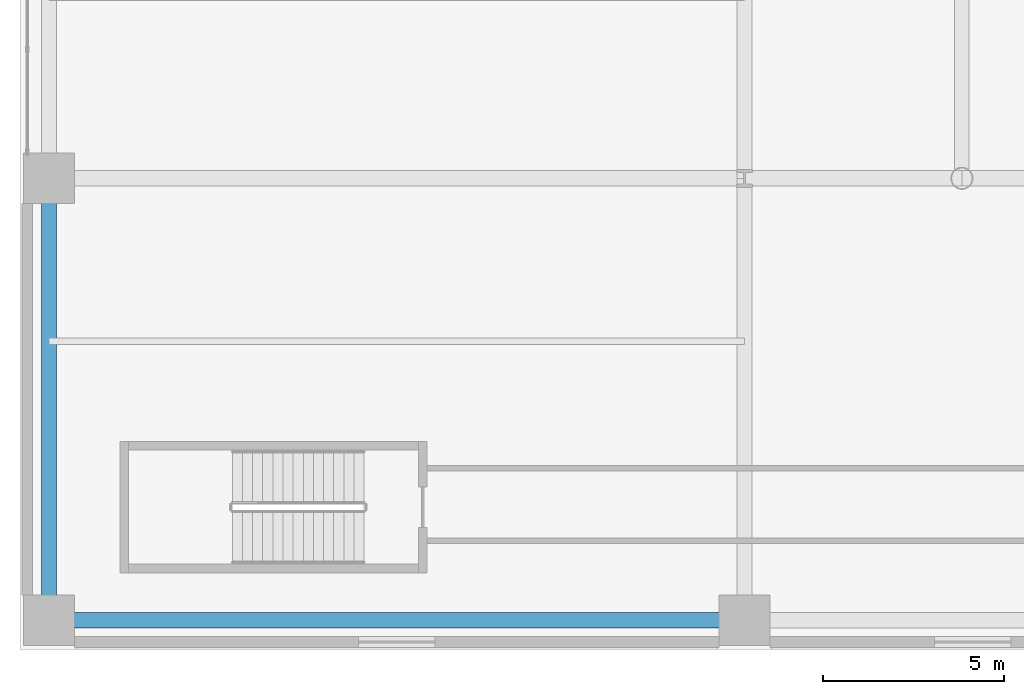
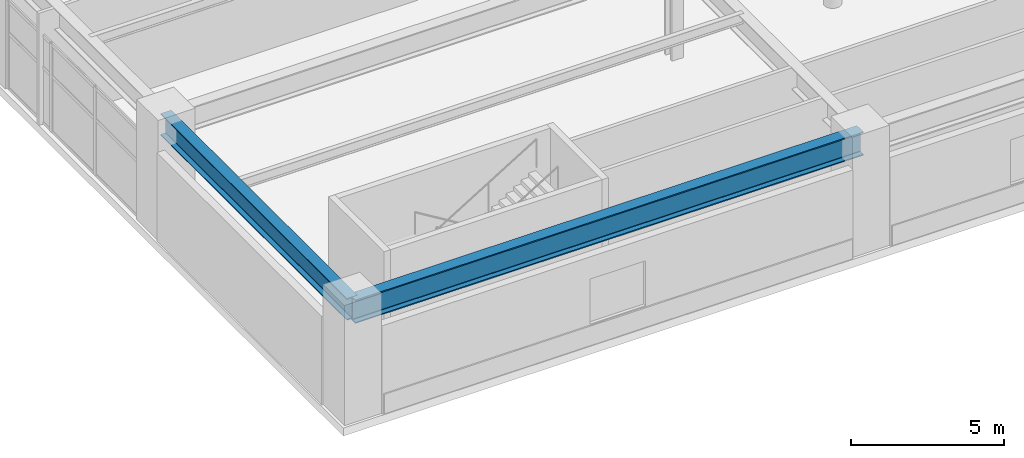
# One storey, part 4 of 28: 2 beams.
"""IFC4 building model written with IfcOpenShell, lengths in metres."""

from ifc_helpers import new_model, si_unit, direction, frame, origin, origin_2d, place, context, subcontext, project, spatial, i_section, extrude, material, material_profile, profile_set, type_object, element, save


model = new_model("IFC4")

# Units and contexts
model_context = context("Model", 3, precision=1e-05, world=origin(), true_north=direction((0.0, 1.0)))
body_context = subcontext(model_context, "Body", "Model", "MODEL_VIEW")
ifc_project = project(units=[si_unit("LENGTHUNIT", "METRE"), si_unit("AREAUNIT", "SQUARE_METRE"), si_unit("VOLUMEUNIT", "CUBIC_METRE"), si_unit("PLANEANGLEUNIT", "RADIAN"), si_unit("MASSUNIT", "GRAM", prefix="KILO")], contexts=[model_context])

# Site, building, storey
site_placement = place(None, origin())
site = spatial("IfcSite", under=ifc_project, at=site_placement, CompositionType="ELEMENT")
building_placement = place(site_placement, origin())
building = spatial("IfcBuilding", under=site, at=building_placement, Name="Soratama Intermodal Tower", CompositionType="ELEMENT")
storey_placement = place(building_placement, frame((0.0, 0.0, 11.39990234375)))
storey = spatial("IfcBuildingStorey", under=building, at=storey_placement, Name="L02", CompositionType="ELEMENT", Elevation=11.39990234375)

# Beams
ifc_material_1 = material(Name="Structural steel ASTM A992 Grade 50", Category="steel")
ifc_material_profile_1 = material_profile(ifc_material_1, i_section(OverallWidth=0.403076171875, OverallDepth=0.867919921875, WebThickness=0.02099609375, FlangeThickness=0.03564453125, FilletRadius=0.01806640625, at=origin_2d()), Name="W33X241")
ifc_profile_set_1 = profile_set([ifc_material_profile_1], Name="Structural steel ASTM A992 Grade 50")
beam_type_1 = type_object("IfcBeamType", Name="BM-POD-EXT-W33", PredefinedType="BEAM", material=ifc_profile_set_1)
beam_1_placement = place(storey_placement, frame((0.800048828125, 2.800048828125, 4.046142578125), z_axis=(0.0, 1.0, 0.0), x_axis=(-1.0, 0.0, 0.0)))
element("IfcBeam", 1, at=beam_1_placement, inside=storey, type_object=beam_type_1, Name="L02 Station Girder Y1-1", PredefinedType="BEAM", context=body_context, shape_type="SweptSolid", body=[
    extrude(i_section(OverallWidth=0.403076171875, OverallDepth=0.867919921875, WebThickness=0.02099609375, FlangeThickness=0.03564453125, FilletRadius=0.01806640625, at=origin_2d()), origin(), (0.0, 0.0, 1.0), 12.199951171875),
])
ifc_material_2 = material(Name="Structural steel ASTM A992 Grade 50", Category="steel")
ifc_material_profile_2 = material_profile(ifc_material_2, i_section(OverallWidth=0.423095703125, OverallDepth=0.93896484375, WebThickness=0.02392578125, FlangeThickness=0.042724609375, FilletRadius=0.02392578125, at=origin_2d()), Name="W36X302")
ifc_profile_set_2 = profile_set([ifc_material_profile_2], Name="Structural steel ASTM A992 Grade 50")
beam_type_2 = type_object("IfcBeamType", Name="BM-POD-EXT-W36", PredefinedType="BEAM", material=ifc_profile_set_2)
beam_2_placement = place(storey_placement, frame((0.800048828125, 2.800048828125, 4.010498046875), z_axis=(1.0, 0.0, 0.0), x_axis=(0.0, 1.0, 0.0)))
element("IfcBeam", 2, at=beam_2_placement, inside=storey, type_object=beam_type_2, Name="L02 Station Girder X1-1", PredefinedType="BEAM", context=body_context, shape_type="SweptSolid", body=[
    extrude(i_section(OverallWidth=0.423095703125, OverallDepth=0.93896484375, WebThickness=0.02392578125, FlangeThickness=0.042724609375, FilletRadius=0.02392578125, at=origin_2d()), origin(), (0.0, 0.0, 1.0), 19.199951171875),
])

save(model, "model.ifc")
